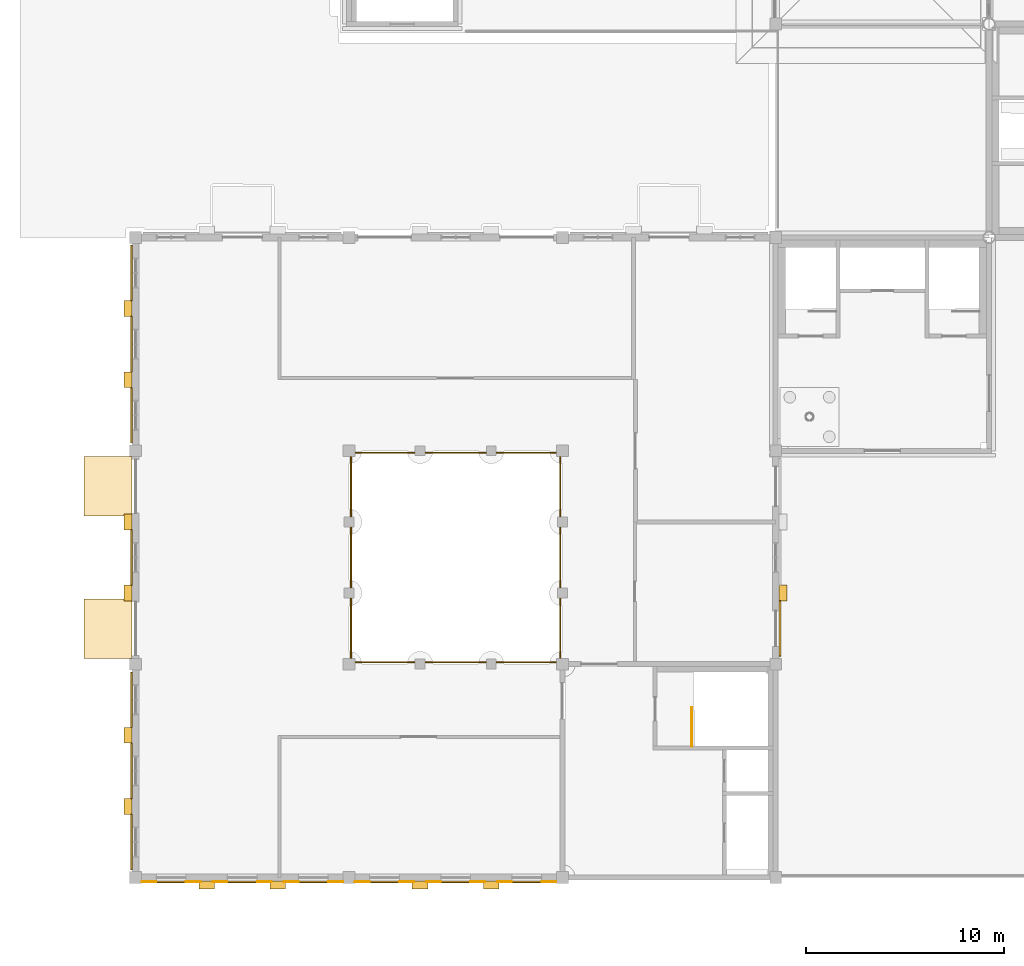
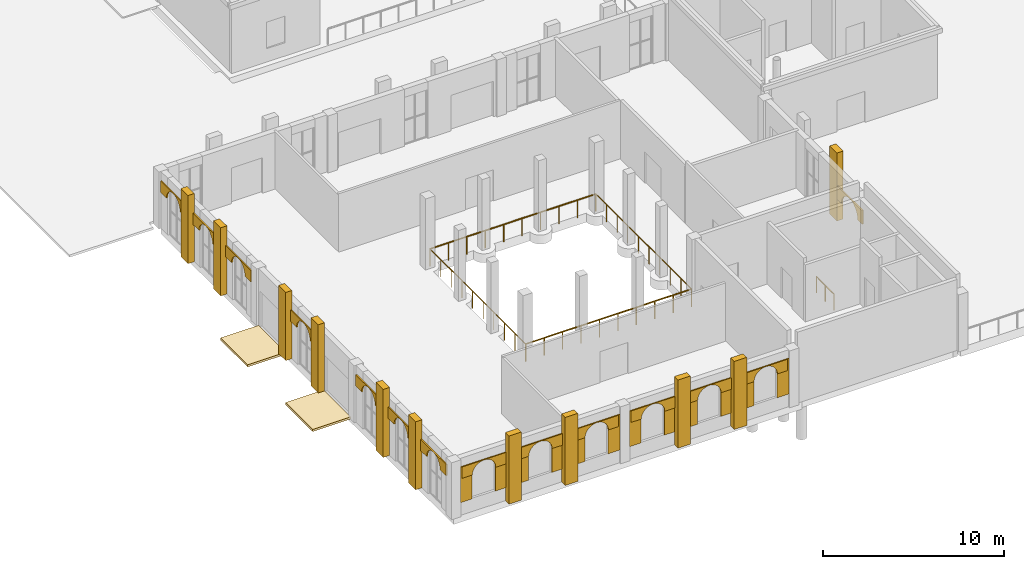
# One storey, part 75 of 91: 39 coverings, 5 railings.
"""IFC4 building model written with IfcOpenShell, lengths in metres."""

import ifcopenshell
import ifcopenshell.guid

model = None  # the IFC model being written
_history = None  # IfcOwnerHistory: only IFC2X3 demands one
_inside = {}  # id of a spatial element -> (the spatial element, [elements in it])
_under = {}  # id of a project, library or spatial element -> (it, [spatial elements below it])
_declared = {}  # id of a project -> (the project, [libraries it declares])
_typed = {}  # id of a type object -> (the type object, [elements of that type])
_made_of = {}  # id of a material, layer set ... -> (it, [elements and type objects made of it])


def new_model(schema):
    """Start an empty IFC model of exactly this schema.

    Asked for "IFC4X3", IfcOpenShell would pick the latest addendum, in which some entities
    have other attributes; the version numbers below select the first issue.
    IFC2X3 requires an IfcOwnerHistory on every rooted entity: one is made here for all.
    """
    global model, _history
    if schema == "IFC4X3":
        model = ifcopenshell.file(schema_version=(4, 3, 0, 0))
    else:
        model = ifcopenshell.file(schema=schema)
    _inside.clear()
    _under.clear()
    _declared.clear()
    _typed.clear()
    _made_of.clear()
    _history = None
    if model.schema == "IFC2X3":
        org = make("IfcOrganization", Name="unknown")
        user = make(
            "IfcPersonAndOrganization",
            ThePerson=make("IfcPerson", FamilyName="unknown"),
            TheOrganization=org,
        )
        app = make(
            "IfcApplication",
            ApplicationDeveloper=org,
            Version="unknown",
            ApplicationFullName="unknown",
            ApplicationIdentifier="unknown",
        )
        _history = make(
            "IfcOwnerHistory",
            OwningUser=user,
            OwningApplication=app,
            ChangeAction="ADDED",
            CreationDate=0,
        )
    return model


def make(cls, **values):
    """One entity of the class cls with the attributes given. An attribute that is None is left unset."""
    return model.create_entity(
        cls, **{name: value for name, value in values.items() if value is not None}
    )


def rooted(cls, **values):
    """An entity with a GlobalId (a new one), such as an element, a storey or a relation."""
    return make(cls, GlobalId=ifcopenshell.guid.new(), OwnerHistory=_history, **values)


def si_unit(unit_type, name, prefix=None):
    """IfcSIUnit, for example si_unit("LENGTHUNIT", "METRE", prefix="MILLI")."""
    return make("IfcSIUnit", UnitType=unit_type, Prefix=prefix, Name=name)


def assignment(units):
    """IfcUnitAssignment: the units of a project."""
    return None if units is None else make("IfcUnitAssignment", Units=units)


def point(xyz):
    """IfcCartesianPoint."""
    return None if xyz is None else make("IfcCartesianPoint", Coordinates=xyz)


def direction(xyz):
    """IfcDirection."""
    return None if xyz is None else make("IfcDirection", DirectionRatios=xyz)


def frame(location, z_axis=None, x_axis=None):
    """IfcAxis2Placement3D, a coordinate frame: its origin and axes. An axis left out is left unset."""
    return make(
        "IfcAxis2Placement3D",
        Location=point(location),
        Axis=direction(z_axis),
        RefDirection=direction(x_axis),
    )


def frame_2d(location, x_axis=None):
    """IfcAxis2Placement2D, a coordinate frame in the plane: its origin and x axis."""
    return make(
        "IfcAxis2Placement2D", Location=point(location), RefDirection=direction(x_axis)
    )


def origin():
    """The frame at (0, 0, 0) with its axes left unset."""
    return frame((0.0, 0.0, 0.0))


def origin_2d():
    """The frame at (0, 0) in the plane with its x axis left unset."""
    return frame_2d((0.0, 0.0))


def place(relative_to, where):
    """IfcLocalPlacement: puts the frame where relative to a parent placement (None: the world)."""
    return make(
        "IfcLocalPlacement", PlacementRelTo=relative_to, RelativePlacement=where
    )


def context(
    kind, dimensions, precision=None, world=None, true_north=None, identifier=None
):
    """IfcGeometricRepresentationContext, for example the 3D "Model" context."""
    return make(
        "IfcGeometricRepresentationContext",
        ContextIdentifier=identifier,
        ContextType=kind,
        CoordinateSpaceDimension=dimensions,
        Precision=precision,
        WorldCoordinateSystem=world,
        TrueNorth=true_north,
    )


def subcontext(parent, identifier, kind, view, scale=None):
    """IfcGeometricRepresentationSubContext, for example "Body" below "Model"."""
    return make(
        "IfcGeometricRepresentationSubContext",
        ContextIdentifier=identifier,
        ContextType=kind,
        ParentContext=parent,
        TargetScale=scale,
        TargetView=view,
    )


def project(units=None, contexts=None):
    """IfcProject with its units and contexts."""
    return rooted(
        "IfcProject",
        Name="project",
        RepresentationContexts=contexts,
        UnitsInContext=assignment(units),
    )


def spatial(cls, under=None, at=None, **own):
    """A site, building, storey or space (cls), placed at a placement, below another one or the project."""
    s = rooted(cls, ObjectPlacement=at, **own)
    if under is not None:
        _under.setdefault(under.id(), (under, []))[1].append(s)
    return s


def polyline(points):
    """IfcPolyline through the points."""
    return make("IfcPolyline", Points=[point(p) for p in points])


def profile(cls, at=None, kind="AREA", **sizes):
    """A parametric profile (cls). Its sizes go by their IFC names, for example OverallWidth=200.0."""
    return make(cls, ProfileType=kind, Position=at, **sizes)


def rectangle(**sizes):
    """IfcRectangleProfileDef."""
    return profile("IfcRectangleProfileDef", **sizes)


def circle(**sizes):
    """IfcCircleProfileDef."""
    return profile("IfcCircleProfileDef", **sizes)


def outline(outer, holes=None, kind="AREA"):
    """IfcArbitraryClosedProfileDef: a profile drawn as a closed curve; with holes, ...WithVoids."""
    if holes is None:
        return make("IfcArbitraryClosedProfileDef", ProfileType=kind, OuterCurve=outer)
    return make(
        "IfcArbitraryProfileDefWithVoids",
        ProfileType=kind,
        OuterCurve=outer,
        InnerCurves=holes,
    )


def extrude(swept, where, along, depth):
    """IfcExtrudedAreaSolid: the profile swept, set in the frame where, extruded along a direction by depth."""
    return make(
        "IfcExtrudedAreaSolid",
        SweptArea=swept,
        Position=where,
        ExtrudedDirection=direction(along),
        Depth=depth,
    )


def shape(context_of_items, identifier, shape_type, items):
    """IfcShapeRepresentation: the items that make up one representation, for example the "Body"."""
    return make(
        "IfcShapeRepresentation",
        ContextOfItems=context_of_items,
        RepresentationIdentifier=identifier,
        RepresentationType=shape_type,
        Items=items,
    )


def material(Name=None, Category=None):
    """IfcMaterial."""
    return make("IfcMaterial", Name=Name, Category=Category)


def layer(
    of_material, thickness, ventilated=None, Name=None, Category=None, Priority=None
):
    """IfcMaterialLayer: one layer of a wall or slab, of a material (None: an air gap)."""
    return make(
        "IfcMaterialLayer",
        Material=of_material,
        LayerThickness=thickness,
        IsVentilated=ventilated,
        Name=Name,
        Category=Category,
        Priority=Priority,
    )


def layer_set(layers, Name=None):
    """IfcMaterialLayerSet."""
    return make("IfcMaterialLayerSet", MaterialLayers=layers, LayerSetName=Name)


def made_of(thing, what):
    """Note that an element or type object is made of a material, layer set ...; save() writes the relation."""
    if what is not None:
        _made_of.setdefault(what.id(), (what, []))[1].append(thing)
    return thing


def type_object(cls, material=None, **own):
    """A type object (cls), such as IfcWallType, which elements share."""
    return made_of(rooted(cls, **own), material)


def element(
    cls,
    number,
    at=None,
    inside=None,
    cuts=None,
    type_object=None,
    material=None,
    context=None,
    identifier="Body",
    shape_type=None,
    held_by="IfcProductDefinitionShape",
    body=None,
    shapes=None,
    **own,
):
    """One element of the class cls, such as IfcWall. Its Tag is "e" and its number.

    at: its placement. inside: the storey or other place that contains it. cuts: it is an
    opening in that element (IfcRelVoidsElement). A single representation is given by context,
    identifier, shape_type and body (its items); several are given by shapes. held_by: the class
    of the entity that holds the representations. save() writes the other relations.
    """
    e = rooted(cls, Tag="e%d" % number, ObjectPlacement=at, **own)
    if body is not None:
        shapes = [shape(context, identifier, shape_type, body)]
    if shapes is not None:
        e.Representation = make(held_by, Representations=shapes)
    if inside is not None:
        _inside.setdefault(inside.id(), (inside, []))[1].append(e)
    if cuts is not None:
        rooted(
            "IfcRelVoidsElement", RelatingBuildingElement=cuts, RelatedOpeningElement=e
        )
    if type_object is not None:
        _typed.setdefault(type_object.id(), (type_object, []))[1].append(e)
    return made_of(e, material)


def aggregate(whole, parts):
    """IfcRelAggregates: a whole, such as a stair, and the parts it consists of."""
    return rooted("IfcRelAggregates", RelatingObject=whole, RelatedObjects=parts)


def save(model, path):
    """Write the relations noted so far, then the file.

    IfcRelAggregates (storeys below a building ...), IfcRelContainedInSpatialStructure (elements
    in a storey), IfcRelDefinesByType, IfcRelAssociatesMaterial and IfcRelDeclares: one each for
    every whole, place, type object, material and project.
    """
    for whole, parts in _under.values():
        aggregate(whole, parts)
    for where, things in _inside.values():
        rooted(
            "IfcRelContainedInSpatialStructure",
            RelatedElements=things,
            RelatingStructure=where,
        )
    for kind, things in _typed.values():
        rooted("IfcRelDefinesByType", RelatedObjects=things, RelatingType=kind)
    for what, things in _made_of.values():
        rooted("IfcRelAssociatesMaterial", RelatedObjects=things, RelatingMaterial=what)
    for by, libraries in _declared.values():
        rooted("IfcRelDeclares", RelatingContext=by, RelatedDefinitions=libraries)
    model.write(path)


model = new_model("IFC4")

# Units and contexts
model_context = context("Model", 3, precision=1e-05, world=origin(), true_north=direction((0.0, 1.0)))
body_context = subcontext(model_context, "Body", "Model", "MODEL_VIEW")
ifc_project = project(units=[si_unit("LENGTHUNIT", "METRE"), si_unit("AREAUNIT", "SQUARE_METRE"), si_unit("VOLUMEUNIT", "CUBIC_METRE"), si_unit("PLANEANGLEUNIT", "RADIAN"), si_unit("MASSUNIT", "GRAM", prefix="KILO")], contexts=[model_context])

# Site, building, storey
site_placement = place(None, origin())
site = spatial("IfcSite", under=ifc_project, at=site_placement, CompositionType="ELEMENT")
building_placement = place(site_placement, origin())
building = spatial("IfcBuilding", under=site, at=building_placement, Name="Magnolia Steps Interchange", CompositionType="ELEMENT")
storey_placement = place(building_placement, origin())
storey = spatial("IfcBuildingStorey", under=building, at=storey_placement, Name="L00", CompositionType="ELEMENT", Elevation=0.0)

# Coverings
ifc_material_1 = material(Name="Lime render")
ifc_layer_1 = layer(ifc_material_1, 0.080078125)
ifc_layer_set_1 = layer_set([ifc_layer_1], Name="Lime render arch infill")
covering_type_1 = type_object("IfcCoveringType", Name="Lime render arch infill", PredefinedType="CLADDING", material=ifc_layer_set_1)
covering_1_placement = place(storey_placement, frame((42.574951171875, 21.199951171875, 1.47998046875), z_axis=(-1.0, 0.0, 0.0), x_axis=(0.0, 0.0, 1.0)))
element("IfcCovering", 1, at=covering_1_placement, inside=storey, type_object=covering_type_1, Name="Arched head over doorway D01260", PredefinedType="CLADDING", context=body_context, shape_type="SweptSolid", body=[
    extrude(outline(polyline([(0.0, 0.0), (0.919921875, 0.0), (0.919921875, 2.800048828), (0.0, 2.800048828), (0.0, 2.300048828), (0.200439453, 2.27734375), (0.390625, 2.2109375), (0.561035156, 2.103759766), (0.703613281, 1.961181641), (0.811035156, 1.790527344), (0.877441406, 1.600341797), (0.899902344, 1.400146484), (0.877441406, 1.199707031), (0.811035156, 1.009521484), (0.703613281, 0.838867188), (0.561035156, 0.696533203), (0.390625, 0.589111328), (0.200439453, 0.522705078), (0.0, 0.5), (0.0, 0.0)])), origin(), (0.0, 0.0, -1.0), 0.080078125),
])
covering_2_placement = place(storey_placement, frame((10.39990234375, 9.824951171875, 2.530029296875), z_axis=(0.0, 1.0, 0.0), x_axis=(0.0, 0.0, 1.0)))
element("IfcCovering", 2, at=covering_2_placement, inside=storey, type_object=covering_type_1, Name="Arched head over opening W00180", PredefinedType="CLADDING", context=body_context, shape_type="SweptSolid", body=[
    extrude(outline(polyline([(0.0, 0.0), (0.770019531, 0.0), (0.770019531, 2.800048828), (0.0, 2.800048828), (0.0, 2.150146484), (0.166992188, 2.131347656), (0.325439453, 2.075683594), (0.467529297, 1.986572266), (0.586425781, 1.867675781), (0.67578125, 1.725585938), (0.731201172, 1.566894531), (0.75, 1.400146484), (0.731201172, 1.233154297), (0.67578125, 1.074707031), (0.586425781, 0.932617188), (0.467529297, 0.813720703), (0.325439453, 0.724365234), (0.166992188, 0.668945312), (0.0, 0.650146484), (0.0, 0.0)])), origin(), (0.0, 0.0, -1.0), 0.080078125),
])
covering_3_placement = place(storey_placement, frame((14.0, 9.824951171875, 2.530029296875), z_axis=(0.0, 1.0, 0.0), x_axis=(0.0, 0.0, 1.0)))
element("IfcCovering", 3, at=covering_3_placement, inside=storey, type_object=covering_type_1, Name="Arched head over opening W00540", PredefinedType="CLADDING", context=body_context, shape_type="SweptSolid", body=[
    extrude(outline(polyline([(0.0, 0.0), (0.770019531, 0.0), (0.770019531, 2.800048828), (0.0, 2.800048828), (0.0, 2.149902344), (0.166992188, 2.131103516), (0.325439453, 2.075683594), (0.467529297, 1.986328125), (0.586425781, 1.867675781), (0.67578125, 1.725341797), (0.731201172, 1.566894531), (0.75, 1.399902344), (0.731201172, 1.233154297), (0.67578125, 1.074707031), (0.586425781, 0.932373047), (0.467529297, 0.813720703), (0.325439453, 0.724365234), (0.166992188, 0.668701172), (0.0, 0.649902344), (0.0, 0.0)])), origin(), (0.0, 0.0, -1.0), 0.080078125),
])
covering_4_placement = place(storey_placement, frame((17.60009765625, 9.824951171875, 2.530029296875), z_axis=(0.0, 1.0, 0.0), x_axis=(0.0, 0.0, 1.0)))
element("IfcCovering", 4, at=covering_4_placement, inside=storey, type_object=covering_type_1, Name="Arched head over opening W00900", PredefinedType="CLADDING", context=body_context, shape_type="SweptSolid", body=[
    extrude(outline(polyline([(0.0, 0.0), (0.770019531, 0.0), (0.770019531, 2.799804688), (0.0, 2.799804688), (0.0, 2.149902344), (0.166992188, 2.131103516), (0.325439453, 2.075683594), (0.467529297, 1.986328125), (0.586425781, 1.867431641), (0.67578125, 1.725341797), (0.731201172, 1.566894531), (0.75, 1.399902344), (0.731201172, 1.232910156), (0.67578125, 1.074462891), (0.586425781, 0.932373047), (0.467529297, 0.813476562), (0.325439453, 0.724121094), (0.166992188, 0.668701172), (0.0, 0.649902344), (0.0, 0.0)])), origin(), (0.0, 0.0, -1.0), 0.080078125),
])
covering_5_placement = place(storey_placement, frame((21.199951171875, 9.824951171875, 2.530029296875), z_axis=(0.0, 1.0, 0.0), x_axis=(0.0, 0.0, 1.0)))
element("IfcCovering", 5, at=covering_5_placement, inside=storey, type_object=covering_type_1, Name="Arched head over opening W01260", PredefinedType="CLADDING", context=body_context, shape_type="SweptSolid", body=[
    extrude(outline(polyline([(0.0, 0.0), (0.770019531, 0.0), (0.770019531, 2.800048828), (0.0, 2.800048828), (0.0, 2.150146484), (0.166992188, 2.131347656), (0.325439453, 2.075683594), (0.467529297, 1.986328125), (0.586425781, 1.867675781), (0.67578125, 1.725341797), (0.731201172, 1.566894531), (0.75, 1.400146484), (0.731201172, 1.233154297), (0.67578125, 1.074707031), (0.586425781, 0.932373047), (0.467529297, 0.813720703), (0.325439453, 0.724365234), (0.166992188, 0.668945312), (0.0, 0.650146484), (0.0, 0.0)])), origin(), (0.0, 0.0, -1.0), 0.080078125),
])
covering_6_placement = place(storey_placement, frame((24.800048828125, 9.824951171875, 2.530029296875), z_axis=(0.0, 1.0, 0.0), x_axis=(0.0, 0.0, 1.0)))
element("IfcCovering", 6, at=covering_6_placement, inside=storey, type_object=covering_type_1, Name="Arched head over opening W01620", PredefinedType="CLADDING", context=body_context, shape_type="SweptSolid", body=[
    extrude(outline(polyline([(0.0, 0.0), (0.770019531, 0.0), (0.770019531, 2.800048828), (0.0, 2.800048828), (0.0, 2.149902344), (0.166992188, 2.131103516), (0.325439453, 2.075683594), (0.467529297, 1.986328125), (0.586425781, 1.867431641), (0.67578125, 1.725341797), (0.731201172, 1.566894531), (0.75, 1.399902344), (0.731201172, 1.233154297), (0.67578125, 1.074462891), (0.586425781, 0.932373047), (0.467529297, 0.813476562), (0.325439453, 0.724365234), (0.166992188, 0.668701172), (0.0, 0.649902344), (0.0, 0.0)])), origin(), (0.0, 0.0, -1.0), 0.080078125),
])
covering_7_placement = place(storey_placement, frame((28.39990234375, 9.824951171875, 2.530029296875), z_axis=(0.0, 1.0, 0.0), x_axis=(0.0, 0.0, 1.0)))
element("IfcCovering", 7, at=covering_7_placement, inside=storey, type_object=covering_type_1, Name="Arched head over opening W01980", PredefinedType="CLADDING", context=body_context, shape_type="SweptSolid", body=[
    extrude(outline(polyline([(0.0, 0.0), (0.770019531, 0.0), (0.770019531, 2.800048828), (0.0, 2.800048828), (0.0, 2.150146484), (0.166992188, 2.131347656), (0.325439453, 2.075683594), (0.467529297, 1.986572266), (0.586425781, 1.867675781), (0.67578125, 1.725585938), (0.731201172, 1.566894531), (0.75, 1.400146484), (0.731201172, 1.233154297), (0.67578125, 1.074707031), (0.586425781, 0.932617188), (0.467529297, 0.813720703), (0.325439453, 0.724365234), (0.166992188, 0.668945312), (0.0, 0.650146484), (0.0, 0.0)])), origin(), (0.0, 0.0, -1.0), 0.080078125),
])
covering_8_placement = place(storey_placement, frame((9.824951171875, 32.64990234375, 2.530029296875), z_axis=(1.0, 0.0, 0.0), x_axis=(0.0, 0.111866505497, 0.993723243639)))
element("IfcCovering", 8, at=covering_8_placement, inside=storey, type_object=covering_type_1, Name="Arched head over opening g10", PredefinedType="CLADDING", context=body_context, shape_type="SweptSolid", body=[
    extrude(outline(polyline([(0.0, 0.0), (0.168046977, 0.0), (0.331726652, -0.037589731), (0.482920517, -0.110489243), (0.61434394, -0.2150963), (0.719060952, -0.346541005), (0.791857958, -0.497794103), (0.829192312, -0.661392554), (0.829192312, -0.829439531), (0.791845189, -0.993091895), (0.718972988, -1.144528367), (0.614096011, -1.275736494), (0.482893915, -1.380426194), (0.331640817, -1.453223201), (0.167799758, -1.490584865), (0.240529374, -2.136650539), (1.00571568, -2.050511145), (0.692484002, 0.731962459), (-0.072702304, 0.645823065), (0.0, 0.0)])), origin(), (0.0, 0.0, -1.0), 0.080078125),
])
covering_9_placement = place(storey_placement, frame((9.824951171875, 36.25, 2.530029296875), z_axis=(1.0, 0.0, 0.0), x_axis=(0.0, 0.111866505497, 0.993723243639)))
element("IfcCovering", 9, at=covering_9_placement, inside=storey, type_object=covering_type_1, Name="Arched head over opening g12", PredefinedType="CLADDING", context=body_context, shape_type="SweptSolid", body=[
    extrude(outline(polyline([(0.0, 0.0), (0.168046977, 0.0), (0.331699341, -0.037347123), (0.482893206, -0.110246635), (0.61434394, -0.2150963), (0.71903364, -0.346298397), (0.791830647, -0.497551495), (0.829192312, -0.661392554), (0.829192312, -0.829439531), (0.791845189, -0.993091895), (0.718945677, -1.144285759), (0.614096011, -1.275736494), (0.482893915, -1.380426194), (0.331640817, -1.453223201), (0.167799758, -1.490584865), (0.240502062, -2.136407931), (1.005688369, -2.050268536), (0.692484002, 0.731962459), (-0.072702304, 0.645823065), (0.0, 0.0)])), origin(), (0.0, 0.0, -1.0), 0.080078125),
])
covering_10_placement = place(storey_placement, frame((9.824951171875, 39.85009765625, 2.530029296875), z_axis=(1.0, 0.0, 0.0), x_axis=(0.0, 0.111866505497, 0.993723243639)))
element("IfcCovering", 10, at=covering_10_placement, inside=storey, type_object=covering_type_1, Name="Arched head over opening g14", PredefinedType="CLADDING", context=body_context, shape_type="SweptSolid", body=[
    extrude(outline(polyline([(0.0, 0.0), (0.168046977, 0.0), (0.331699341, -0.037347123), (0.482893206, -0.110246635), (0.614316629, -0.214853692), (0.71903364, -0.346298397), (0.791830647, -0.497551495), (0.829192312, -0.661392554), (0.829165001, -0.829196923), (0.791817878, -0.992849287), (0.718945677, -1.144285759), (0.6140687, -1.275493885), (0.482866604, -1.380183586), (0.331640817, -1.453223201), (0.167799758, -1.490584865), (0.240502062, -2.136407931), (1.005688369, -2.050268536), (0.692456691, 0.732205067), (-0.072729615, 0.646065673), (0.0, 0.0)])), origin(), (0.0, 0.0, -1.0), 0.080078125),
])
covering_11_placement = place(storey_placement, frame((9.824951171875, 11.050048828125, 2.530029296875), z_axis=(1.0, 0.0, 0.0), x_axis=(0.0, 0.111866505497, 0.993723243639)))
element("IfcCovering", 11, at=covering_11_placement, inside=storey, type_object=covering_type_1, Name="Arched head over opening g2", PredefinedType="CLADDING", context=body_context, shape_type="SweptSolid", body=[
    extrude(outline(polyline([(0.0, 0.0), (0.168046977, 0.0), (0.331699341, -0.037347123), (0.482893206, -0.110246635), (0.61434394, -0.2150963), (0.71903364, -0.346298397), (0.791830647, -0.497551495), (0.829192312, -0.661392554), (0.829165001, -0.829196923), (0.791845189, -0.993091895), (0.718945677, -1.144285759), (0.614096011, -1.275736494), (0.482866604, -1.380183586), (0.331640817, -1.453223201), (0.167799758, -1.490584865), (0.240502062, -2.136407931), (1.005688369, -2.050268536), (0.692456691, 0.732205067), (-0.072729615, 0.646065673), (0.0, 0.0)])), origin(), (0.0, 0.0, -1.0), 0.080078125),
])
covering_12_placement = place(storey_placement, frame((9.824951171875, 14.64990234375, 2.530029296875), z_axis=(1.0, 0.0, 0.0), x_axis=(0.0, 0.111866505497, 0.993723243639)))
element("IfcCovering", 12, at=covering_12_placement, inside=storey, type_object=covering_type_1, Name="Arched head over opening g4", PredefinedType="CLADDING", context=body_context, shape_type="SweptSolid", body=[
    extrude(outline(polyline([(0.0, 0.0), (0.168046977, 0.0), (0.331726652, -0.037589731), (0.482920517, -0.110489243), (0.61434394, -0.2150963), (0.719060952, -0.346541005), (0.791857958, -0.497794103), (0.829192312, -0.661392554), (0.829192312, -0.829439531), (0.791845189, -0.993091895), (0.718972988, -1.144528367), (0.614096011, -1.275736494), (0.482893915, -1.380426194), (0.331640817, -1.453223201), (0.167799758, -1.490584865), (0.240529374, -2.136650539), (1.00571568, -2.050511145), (0.692484002, 0.731962459), (-0.072702304, 0.645823065), (0.0, 0.0)])), origin(), (0.0, 0.0, -1.0), 0.080078125),
])
covering_13_placement = place(storey_placement, frame((9.824951171875, 18.25, 2.530029296875), z_axis=(1.0, 0.0, 0.0), x_axis=(0.0, 0.111866505497, 0.993723243639)))
element("IfcCovering", 13, at=covering_13_placement, inside=storey, type_object=covering_type_1, Name="Arched head over opening g6", PredefinedType="CLADDING", context=body_context, shape_type="SweptSolid", body=[
    extrude(outline(polyline([(0.0, 0.0), (0.168046977, 0.0), (0.331699341, -0.037347123), (0.482893206, -0.110246635), (0.61434394, -0.2150963), (0.71903364, -0.346298397), (0.791830647, -0.497551495), (0.829192312, -0.661392554), (0.829192312, -0.829439531), (0.791845189, -0.993091895), (0.718945677, -1.144285759), (0.614096011, -1.275736494), (0.482893915, -1.380426194), (0.331640817, -1.453223201), (0.167799758, -1.490584865), (0.240502062, -2.136407931), (1.005688369, -2.050268536), (0.692484002, 0.731962459), (-0.072702304, 0.645823065), (0.0, 0.0)])), origin(), (0.0, 0.0, -1.0), 0.080078125),
])
covering_14_placement = place(storey_placement, frame((9.824951171875, 25.449951171875, 2.530029296875), z_axis=(1.0, 0.0, 0.0), x_axis=(0.0, 0.111866505497, 0.993723243639)))
element("IfcCovering", 14, at=covering_14_placement, inside=storey, type_object=covering_type_1, Name="Arched head over opening g8", PredefinedType="CLADDING", context=body_context, shape_type="SweptSolid", body=[
    extrude(outline(polyline([(0.0, 0.0), (0.168046977, 0.0), (0.331726652, -0.037589731), (0.482893206, -0.110246635), (0.61434394, -0.2150963), (0.71903364, -0.346298397), (0.791857958, -0.497794103), (0.829192312, -0.661392554), (0.829192312, -0.829439531), (0.791845189, -0.993091895), (0.718945677, -1.144285759), (0.614096011, -1.275736494), (0.482893915, -1.380426194), (0.331640817, -1.453223201), (0.167799758, -1.490584865), (0.240529374, -2.136650539), (1.00571568, -2.050511145), (0.692484002, 0.731962459), (-0.072702304, 0.645823065), (0.0, 0.0)])), origin(), (0.0, 0.0, -1.0), 0.080078125),
])
ifc_material_2 = material(Name="Lime render")
ifc_layer_2 = layer(ifc_material_2, 0.39990234375)
ifc_layer_set_2 = layer_set([ifc_layer_2], Name="Lime render pilaster")
covering_type_2 = type_object("IfcCoveringType", Name="Lime render pilaster", PredefinedType="CLADDING", material=ifc_layer_set_2)
for number, where, z_axis, x_axis, name in (
    (15, (13.60009765625, 9.625, 0.0), (0.0, 0.0, 1.0), (1.0, 0.0, 0.0), "Hub pilaster S 1"),
    (16, (17.199951171875, 9.625, 0.0), (0.0, 0.0, 1.0), (1.0, 0.0, 0.0), "Hub pilaster S 2"),
    (17, (24.39990234375, 9.625, 0.0), (0.0, 0.0, 1.0), (1.0, 0.0, 0.0), "Hub pilaster S 3"),
    (18, (28.0, 9.625, 0.0), (0.0, 0.0, 1.0), (1.0, 0.0, 0.0), "Hub pilaster S 4"),
):
    element("IfcCovering", number, at=place(storey_placement, frame(where, z_axis=z_axis, x_axis=x_axis)), inside=storey, type_object=covering_type_2, Name=name, PredefinedType="CLADDING", context=body_context, shape_type="SweptSolid", body=[
        extrude(rectangle(XDim=0.800048828125, YDim=0.39990234375, at=origin_2d()), origin(), (0.0, 0.0, 1.0), 4.60009765625),
    ])
for number, where, z_axis, x_axis, name in (
    (19, (9.625, 13.60009765625, 0.0), (0.0, 0.0, 1.0), (1.0, 0.0, 0.0), "Hub pilaster W 1"),
    (20, (9.625, 17.199951171875, 0.0), (0.0, 0.0, 1.0), (1.0, 0.0, 0.0), "Hub pilaster W 2"),
    (21, (9.625, 24.39990234375, 0.0), (0.0, 0.0, 1.0), (1.0, 0.0, 0.0), "Hub pilaster W 3"),
    (22, (9.625, 28.0, 0.0), (0.0, 0.0, 1.0), (1.0, 0.0, 0.0), "Hub pilaster W 4"),
    (23, (9.625, 35.199951171875, 0.0), (0.0, 0.0, 1.0), (1.0, 0.0, 0.0), "Hub pilaster W 5"),
    (24, (9.625, 38.800048828125, 0.0), (0.0, 0.0, 1.0), (1.0, 0.0, 0.0), "Hub pilaster W 6"),
    (25, (42.77490234375, 24.39990234375, 0.0), (0.0, 0.0, 1.0), (1.0, 0.0, 0.0), "Hub pilaster E 3"),
):
    element("IfcCovering", number, at=place(storey_placement, frame(where, z_axis=z_axis, x_axis=x_axis)), inside=storey, type_object=covering_type_2, Name=name, PredefinedType="CLADDING", context=body_context, shape_type="SweptSolid", body=[
        extrude(rectangle(XDim=0.39990234375, YDim=0.800048828125, at=origin_2d()), origin(), (0.0, 0.0, 1.0), 4.60009765625),
    ])

# Railing
ifc_material_3 = material(Name="Stainless steel grade 304", Category="steel")
railing_type_1 = type_object("IfcRailingType", Name="Stair guard 1100", PredefinedType="GUARDRAIL", material=ifc_material_3)
railing_1_placement = place(storey_placement, frame((38.14990234375, 16.64990234375, 0.0)))
element("IfcRailing", 26, at=railing_1_placement, inside=storey, type_object=railing_type_1, Name="L00 ST25 top well guard 1", PredefinedType="GUARDRAIL", context=body_context, shape_type="SweptSolid", body=[
    extrude(circle(Radius=0.02392578125, at=origin_2d()), frame((0.0, 0.0, 1.076171875), z_axis=(0.0, 1.0, 0.0), x_axis=(-1.0, 0.0, 0.0)), (0.0, 0.0, 1.0), 1.9501953125),
    extrude(circle(Radius=0.02099609375, at=origin_2d()), origin(), (0.0, 0.0, 1.0), 1.052001953125),
    extrude(circle(Radius=0.02099609375, at=origin_2d()), frame((0.0, 0.97509765625, 0.0)), (0.0, 0.0, 1.0), 1.052001953125),
    extrude(circle(Radius=0.02099609375, at=origin_2d()), frame((0.0, 1.9501953125, 0.0)), (0.0, 0.0, 1.0), 1.052001953125),
])

# Coverings
ifc_material_4 = material(Name="Natural stone paving", Category="masonry")
ifc_layer_3 = layer(ifc_material_4, 0.14990234375)
ifc_layer_set_3 = layer_set([ifc_layer_3], Name="Stone paving 150")
covering_type_3 = type_object("IfcCoveringType", Name="Stone paving 150", PredefinedType="FLOORING", material=ifc_layer_set_3)
for number, where, z_axis, x_axis, name in (
    (27, (8.612548828125, 22.60009765625, -0.14990234375), (0.0, 0.0, 1.0), (1.0, 0.0, 0.0), "Entrance paving"),
    (28, (8.612548828125, 29.800048828125, -0.14990234375), (0.0, 0.0, 1.0), (1.0, 0.0, 0.0), "Entrance paving"),
):
    element("IfcCovering", number, at=place(storey_placement, frame(where, z_axis=z_axis, x_axis=x_axis)), inside=storey, type_object=covering_type_3, Name=name, PredefinedType="FLOORING", context=body_context, shape_type="SweptSolid", body=[
        extrude(rectangle(XDim=2.425048828125, YDim=3.0, at=origin_2d()), origin(), (0.0, 0.0, 1.0), 0.14990234375),
    ])
ifc_material_5 = material(Name="Timber", Category="wood")
ifc_layer_4 = layer(ifc_material_5, 0.050048828125)
ifc_layer_set_4 = layer_set([ifc_layer_4], Name="Timber shutter leaf")
covering_type_4 = type_object("IfcCoveringType", Name="Timber shutter leaf", PredefinedType="CLADDING", material=ifc_layer_set_4)
for number, where, z_axis, x_axis, name in (
    (29, (10.675048828125, 9.800048828125, 0.900146484375), (0.0, 0.0, 1.0), (1.0, 0.0, 0.0), "Timber shutter hub south 1a"),
    (30, (12.925048828125, 9.800048828125, 0.900146484375), (0.0, 0.0, 1.0), (1.0, 0.0, 0.0), "Timber shutter hub south 1b"),
    (31, (14.27490234375, 9.800048828125, 0.900146484375), (0.0, 0.0, 1.0), (1.0, 0.0, 0.0), "Timber shutter hub south 2a"),
    (32, (16.52490234375, 9.800048828125, 0.900146484375), (0.0, 0.0, 1.0), (1.0, 0.0, 0.0), "Timber shutter hub south 2b"),
    (33, (17.875, 9.800048828125, 0.900146484375), (0.0, 0.0, 1.0), (1.0, 0.0, 0.0), "Timber shutter hub south 3a"),
    (34, (20.125, 9.800048828125, 0.900146484375), (0.0, 0.0, 1.0), (1.0, 0.0, 0.0), "Timber shutter hub south 3b"),
    (35, (21.47509765625, 9.800048828125, 0.900146484375), (0.0, 0.0, 1.0), (1.0, 0.0, 0.0), "Timber shutter hub south 4a"),
    (36, (23.72509765625, 9.800048828125, 0.900146484375), (0.0, 0.0, 1.0), (1.0, 0.0, 0.0), "Timber shutter hub south 4b"),
    (37, (25.074951171875, 9.800048828125, 0.900146484375), (0.0, 0.0, 1.0), (1.0, 0.0, 0.0), "Timber shutter hub south 5a"),
    (38, (27.324951171875, 9.800048828125, 0.900146484375), (0.0, 0.0, 1.0), (1.0, 0.0, 0.0), "Timber shutter hub south 5b"),
    (39, (28.675048828125, 9.800048828125, 0.900146484375), (0.0, 0.0, 1.0), (1.0, 0.0, 0.0), "Timber shutter hub south 6a"),
    (40, (30.925048828125, 9.800048828125, 0.900146484375), (0.0, 0.0, 1.0), (1.0, 0.0, 0.0), "Timber shutter hub south 6b"),
):
    element("IfcCovering", number, at=place(storey_placement, frame(where, z_axis=z_axis, x_axis=x_axis)), inside=storey, type_object=covering_type_4, Name=name, PredefinedType="CLADDING", context=body_context, shape_type="SweptSolid", body=[
        extrude(rectangle(XDim=0.75, YDim=0.050048828125, at=origin_2d()), origin(), (0.0, 0.0, 1.0), 2.39990234375),
    ])

# Railings
ifc_material_6 = material(Name="Painted steel Q355B", Category="steel")
railing_type_2 = type_object("IfcRailingType", Name="Wrought iron patio guard 1200", PredefinedType="GUARDRAIL", material=ifc_material_6)
railing_2_placement = place(storey_placement, frame((20.89990234375, 20.89990234375, 0.0)))
element("IfcRailing", 41, at=railing_2_placement, inside=storey, type_object=railing_type_2, Name="Wrought iron patio guard S", PredefinedType="GUARDRAIL", context=body_context, shape_type="SweptSolid", body=[
    extrude(circle(Radius=0.030029296875, at=origin_2d()), frame((0.0, 0.0, 1.169921875), z_axis=(1.0, 0.0, 0.0), x_axis=(0.0, 1.0, 0.0)), (0.0, 0.0, 1.0), 10.60009765625),
    extrude(circle(Radius=0.02001953125, at=origin_2d()), origin(), (0.0, 0.0, 1.0), 1.139892578125),
    extrude(circle(Radius=0.02001953125, at=origin_2d()), frame((1.177734375, 0.0, 0.0)), (0.0, 0.0, 1.0), 1.139892578125),
    extrude(circle(Radius=0.02001953125, at=origin_2d()), frame((2.35546875, 0.0, 0.0)), (0.0, 0.0, 1.0), 1.139892578125),
    extrude(circle(Radius=0.02001953125, at=origin_2d()), frame((3.533447265625, 0.0, 0.0)), (0.0, 0.0, 1.0), 1.139892578125),
    extrude(circle(Radius=0.02001953125, at=origin_2d()), frame((4.711181640625, 0.0, 0.0)), (0.0, 0.0, 1.0), 1.139892578125),
    extrude(circle(Radius=0.02001953125, at=origin_2d()), frame((5.888916015625, 0.0, 0.0)), (0.0, 0.0, 1.0), 1.139892578125),
    extrude(circle(Radius=0.02001953125, at=origin_2d()), frame((7.066650390625, 0.0, 0.0)), (0.0, 0.0, 1.0), 1.139892578125),
    extrude(circle(Radius=0.02001953125, at=origin_2d()), frame((8.24462890625, 0.0, 0.0)), (0.0, 0.0, 1.0), 1.139892578125),
    extrude(circle(Radius=0.02001953125, at=origin_2d()), frame((9.42236328125, 0.0, 0.0)), (0.0, 0.0, 1.0), 1.139892578125),
    extrude(circle(Radius=0.02001953125, at=origin_2d()), frame((10.60009765625, 0.0, 0.0)), (0.0, 0.0, 1.0), 1.139892578125),
])
railing_3_placement = place(storey_placement, frame((31.5, 20.89990234375, 0.0)))
element("IfcRailing", 42, at=railing_3_placement, inside=storey, type_object=railing_type_2, Name="Wrought iron patio guard E", PredefinedType="GUARDRAIL", context=body_context, shape_type="SweptSolid", body=[
    extrude(circle(Radius=0.030029296875, at=origin_2d()), frame((0.0, 0.0, 1.169921875), z_axis=(0.0, 1.0, 0.0), x_axis=(-1.0, 0.0, 0.0)), (0.0, 0.0, 1.0), 10.60009765625),
    extrude(circle(Radius=0.02001953125, at=origin_2d()), origin(), (0.0, 0.0, 1.0), 1.139892578125),
    extrude(circle(Radius=0.02001953125, at=origin_2d()), frame((0.0, 1.177734375, 0.0)), (0.0, 0.0, 1.0), 1.139892578125),
    extrude(circle(Radius=0.02001953125, at=origin_2d()), frame((0.0, 2.35546875, 0.0)), (0.0, 0.0, 1.0), 1.139892578125),
    extrude(circle(Radius=0.02001953125, at=origin_2d()), frame((0.0, 3.533447265625, 0.0)), (0.0, 0.0, 1.0), 1.139892578125),
    extrude(circle(Radius=0.02001953125, at=origin_2d()), frame((0.0, 4.711181640625, 0.0)), (0.0, 0.0, 1.0), 1.139892578125),
    extrude(circle(Radius=0.02001953125, at=origin_2d()), frame((0.0, 5.888916015625, 0.0)), (0.0, 0.0, 1.0), 1.139892578125),
    extrude(circle(Radius=0.02001953125, at=origin_2d()), frame((0.0, 7.066650390625, 0.0)), (0.0, 0.0, 1.0), 1.139892578125),
    extrude(circle(Radius=0.02001953125, at=origin_2d()), frame((0.0, 8.24462890625, 0.0)), (0.0, 0.0, 1.0), 1.139892578125),
    extrude(circle(Radius=0.02001953125, at=origin_2d()), frame((0.0, 9.42236328125, 0.0)), (0.0, 0.0, 1.0), 1.139892578125),
    extrude(circle(Radius=0.02001953125, at=origin_2d()), frame((0.0, 10.60009765625, 0.0)), (0.0, 0.0, 1.0), 1.139892578125),
])
railing_4_placement = place(storey_placement, frame((31.5, 31.5, 0.0)))
element("IfcRailing", 43, at=railing_4_placement, inside=storey, type_object=railing_type_2, Name="Wrought iron patio guard N", PredefinedType="GUARDRAIL", context=body_context, shape_type="SweptSolid", body=[
    extrude(circle(Radius=0.030029296875, at=origin_2d()), frame((0.0, 0.0, 1.169921875), z_axis=(-1.0, 0.0, 0.0), x_axis=(0.0, -1.0, 0.0)), (0.0, 0.0, 1.0), 10.60009765625),
    extrude(circle(Radius=0.02001953125, at=origin_2d()), origin(), (0.0, 0.0, 1.0), 1.139892578125),
    extrude(circle(Radius=0.02001953125, at=origin_2d()), frame((-1.177734375, 0.0, 0.0)), (0.0, 0.0, 1.0), 1.139892578125),
    extrude(circle(Radius=0.02001953125, at=origin_2d()), frame((-2.35546875, 0.0, 0.0)), (0.0, 0.0, 1.0), 1.139892578125),
    extrude(circle(Radius=0.02001953125, at=origin_2d()), frame((-3.533447265625, 0.0, 0.0)), (0.0, 0.0, 1.0), 1.139892578125),
    extrude(circle(Radius=0.02001953125, at=origin_2d()), frame((-4.711181640625, 0.0, 0.0)), (0.0, 0.0, 1.0), 1.139892578125),
    extrude(circle(Radius=0.02001953125, at=origin_2d()), frame((-5.888916015625, 0.0, 0.0)), (0.0, 0.0, 1.0), 1.139892578125),
    extrude(circle(Radius=0.02001953125, at=origin_2d()), frame((-7.066650390625, 0.0, 0.0)), (0.0, 0.0, 1.0), 1.139892578125),
    extrude(circle(Radius=0.02001953125, at=origin_2d()), frame((-8.24462890625, 0.0, 0.0)), (0.0, 0.0, 1.0), 1.139892578125),
    extrude(circle(Radius=0.02001953125, at=origin_2d()), frame((-9.42236328125, 0.0, 0.0)), (0.0, 0.0, 1.0), 1.139892578125),
    extrude(circle(Radius=0.02001953125, at=origin_2d()), frame((-10.60009765625, 0.0, 0.0)), (0.0, 0.0, 1.0), 1.139892578125),
])
railing_5_placement = place(storey_placement, frame((20.89990234375, 31.5, 0.0)))
element("IfcRailing", 44, at=railing_5_placement, inside=storey, type_object=railing_type_2, Name="Wrought iron patio guard W", PredefinedType="GUARDRAIL", context=body_context, shape_type="SweptSolid", body=[
    extrude(circle(Radius=0.030029296875, at=origin_2d()), frame((0.0, 0.0, 1.169921875), z_axis=(0.0, -1.0, 0.0), x_axis=(1.0, 0.0, 0.0)), (0.0, 0.0, 1.0), 10.60009765625),
    extrude(circle(Radius=0.02001953125, at=origin_2d()), origin(), (0.0, 0.0, 1.0), 1.139892578125),
    extrude(circle(Radius=0.02001953125, at=origin_2d()), frame((0.0, -1.177734375, 0.0)), (0.0, 0.0, 1.0), 1.139892578125),
    extrude(circle(Radius=0.02001953125, at=origin_2d()), frame((0.0, -2.35546875, 0.0)), (0.0, 0.0, 1.0), 1.139892578125),
    extrude(circle(Radius=0.02001953125, at=origin_2d()), frame((0.0, -3.533447265625, 0.0)), (0.0, 0.0, 1.0), 1.139892578125),
    extrude(circle(Radius=0.02001953125, at=origin_2d()), frame((0.0, -4.711181640625, 0.0)), (0.0, 0.0, 1.0), 1.139892578125),
    extrude(circle(Radius=0.02001953125, at=origin_2d()), frame((0.0, -5.888916015625, 0.0)), (0.0, 0.0, 1.0), 1.139892578125),
    extrude(circle(Radius=0.02001953125, at=origin_2d()), frame((0.0, -7.066650390625, 0.0)), (0.0, 0.0, 1.0), 1.139892578125),
    extrude(circle(Radius=0.02001953125, at=origin_2d()), frame((0.0, -8.24462890625, 0.0)), (0.0, 0.0, 1.0), 1.139892578125),
    extrude(circle(Radius=0.02001953125, at=origin_2d()), frame((0.0, -9.42236328125, 0.0)), (0.0, 0.0, 1.0), 1.139892578125),
    extrude(circle(Radius=0.02001953125, at=origin_2d()), frame((0.0, -10.60009765625, 0.0)), (0.0, 0.0, 1.0), 1.139892578125),
])

save(model, "model.ifc")
